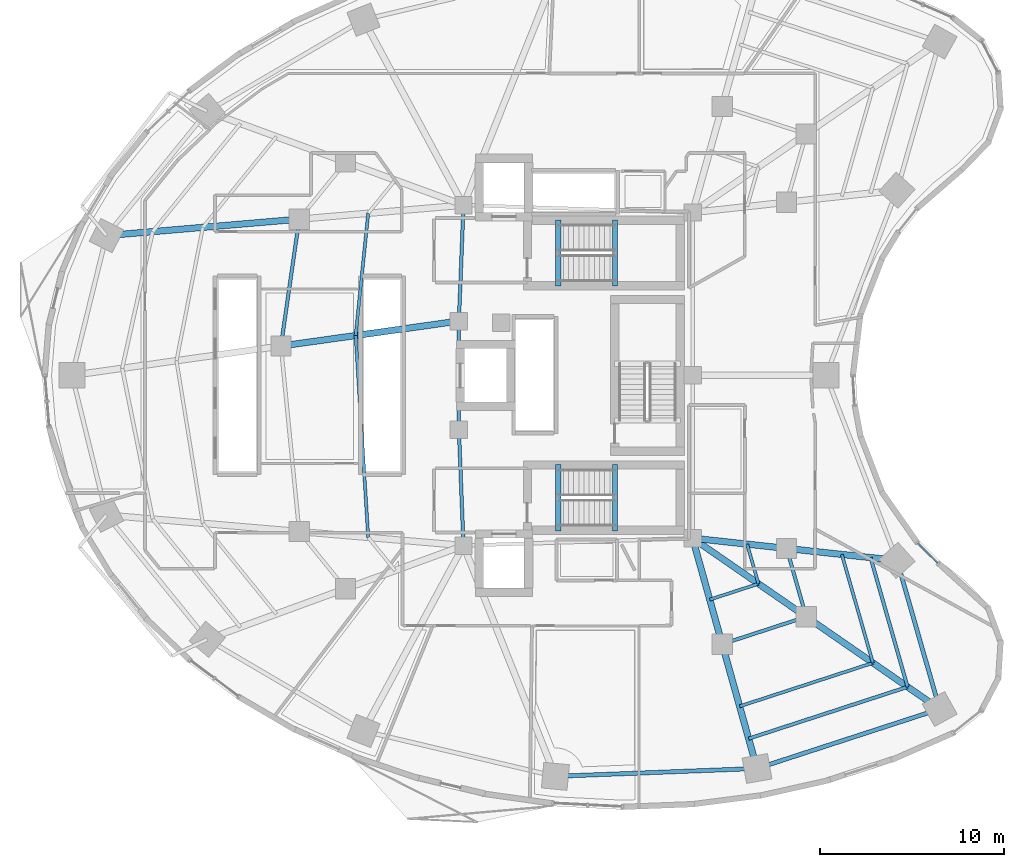
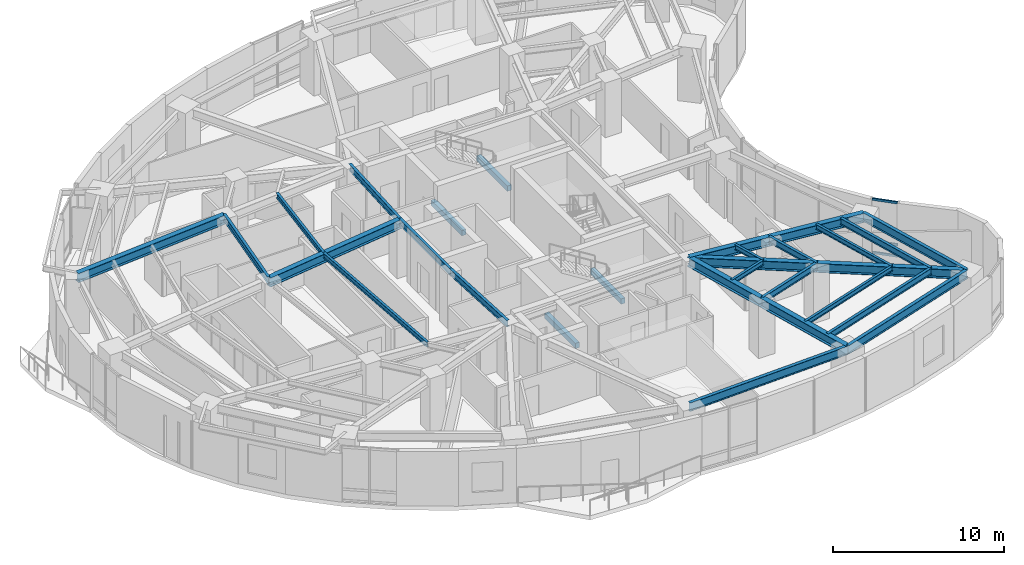
# One storey, part 3 of 15: 29 beams, 3 members, 1 element without a shape of its own.
"""IFC4 building model written with IfcOpenShell, lengths in metres."""

import ifcopenshell
import ifcopenshell.guid

model = None  # the IFC model being written
_history = None  # IfcOwnerHistory: only IFC2X3 demands one
_inside = {}  # id of a spatial element -> (the spatial element, [elements in it])
_under = {}  # id of a project, library or spatial element -> (it, [spatial elements below it])
_declared = {}  # id of a project -> (the project, [libraries it declares])
_typed = {}  # id of a type object -> (the type object, [elements of that type])
_made_of = {}  # id of a material, layer set ... -> (it, [elements and type objects made of it])


def new_model(schema):
    """Start an empty IFC model of exactly this schema.

    Asked for "IFC4X3", IfcOpenShell would pick the latest addendum, in which some entities
    have other attributes; the version numbers below select the first issue.
    IFC2X3 requires an IfcOwnerHistory on every rooted entity: one is made here for all.
    """
    global model, _history
    if schema == "IFC4X3":
        model = ifcopenshell.file(schema_version=(4, 3, 0, 0))
    else:
        model = ifcopenshell.file(schema=schema)
    _inside.clear()
    _under.clear()
    _declared.clear()
    _typed.clear()
    _made_of.clear()
    _history = None
    if model.schema == "IFC2X3":
        org = make("IfcOrganization", Name="unknown")
        user = make(
            "IfcPersonAndOrganization",
            ThePerson=make("IfcPerson", FamilyName="unknown"),
            TheOrganization=org,
        )
        app = make(
            "IfcApplication",
            ApplicationDeveloper=org,
            Version="unknown",
            ApplicationFullName="unknown",
            ApplicationIdentifier="unknown",
        )
        _history = make(
            "IfcOwnerHistory",
            OwningUser=user,
            OwningApplication=app,
            ChangeAction="ADDED",
            CreationDate=0,
        )
    return model


def make(cls, **values):
    """One entity of the class cls with the attributes given. An attribute that is None is left unset."""
    return model.create_entity(
        cls, **{name: value for name, value in values.items() if value is not None}
    )


def rooted(cls, **values):
    """An entity with a GlobalId (a new one), such as an element, a storey or a relation."""
    return make(cls, GlobalId=ifcopenshell.guid.new(), OwnerHistory=_history, **values)


def si_unit(unit_type, name, prefix=None):
    """IfcSIUnit, for example si_unit("LENGTHUNIT", "METRE", prefix="MILLI")."""
    return make("IfcSIUnit", UnitType=unit_type, Prefix=prefix, Name=name)


def assignment(units):
    """IfcUnitAssignment: the units of a project."""
    return None if units is None else make("IfcUnitAssignment", Units=units)


def point(xyz):
    """IfcCartesianPoint."""
    return None if xyz is None else make("IfcCartesianPoint", Coordinates=xyz)


def direction(xyz):
    """IfcDirection."""
    return None if xyz is None else make("IfcDirection", DirectionRatios=xyz)


def frame(location, z_axis=None, x_axis=None):
    """IfcAxis2Placement3D, a coordinate frame: its origin and axes. An axis left out is left unset."""
    return make(
        "IfcAxis2Placement3D",
        Location=point(location),
        Axis=direction(z_axis),
        RefDirection=direction(x_axis),
    )


def frame_2d(location, x_axis=None):
    """IfcAxis2Placement2D, a coordinate frame in the plane: its origin and x axis."""
    return make(
        "IfcAxis2Placement2D", Location=point(location), RefDirection=direction(x_axis)
    )


def origin():
    """The frame at (0, 0, 0) with its axes left unset."""
    return frame((0.0, 0.0, 0.0))


def origin_2d():
    """The frame at (0, 0) in the plane with its x axis left unset."""
    return frame_2d((0.0, 0.0))


def place(relative_to, where):
    """IfcLocalPlacement: puts the frame where relative to a parent placement (None: the world)."""
    return make(
        "IfcLocalPlacement", PlacementRelTo=relative_to, RelativePlacement=where
    )


def context(
    kind, dimensions, precision=None, world=None, true_north=None, identifier=None
):
    """IfcGeometricRepresentationContext, for example the 3D "Model" context."""
    return make(
        "IfcGeometricRepresentationContext",
        ContextIdentifier=identifier,
        ContextType=kind,
        CoordinateSpaceDimension=dimensions,
        Precision=precision,
        WorldCoordinateSystem=world,
        TrueNorth=true_north,
    )


def subcontext(parent, identifier, kind, view, scale=None):
    """IfcGeometricRepresentationSubContext, for example "Body" below "Model"."""
    return make(
        "IfcGeometricRepresentationSubContext",
        ContextIdentifier=identifier,
        ContextType=kind,
        ParentContext=parent,
        TargetScale=scale,
        TargetView=view,
    )


def project(units=None, contexts=None):
    """IfcProject with its units and contexts."""
    return rooted(
        "IfcProject",
        Name="project",
        RepresentationContexts=contexts,
        UnitsInContext=assignment(units),
    )


def spatial(cls, under=None, at=None, **own):
    """A site, building, storey or space (cls), placed at a placement, below another one or the project."""
    s = rooted(cls, ObjectPlacement=at, **own)
    if under is not None:
        _under.setdefault(under.id(), (under, []))[1].append(s)
    return s


def profile(cls, at=None, kind="AREA", **sizes):
    """A parametric profile (cls). Its sizes go by their IFC names, for example OverallWidth=200.0."""
    return make(cls, ProfileType=kind, Position=at, **sizes)


def rectangle(**sizes):
    """IfcRectangleProfileDef."""
    return profile("IfcRectangleProfileDef", **sizes)


def i_section(**sizes):
    """IfcIShapeProfileDef."""
    return profile("IfcIShapeProfileDef", **sizes)


def extrude(swept, where, along, depth):
    """IfcExtrudedAreaSolid: the profile swept, set in the frame where, extruded along a direction by depth."""
    return make(
        "IfcExtrudedAreaSolid",
        SweptArea=swept,
        Position=where,
        ExtrudedDirection=direction(along),
        Depth=depth,
    )


def shape(context_of_items, identifier, shape_type, items):
    """IfcShapeRepresentation: the items that make up one representation, for example the "Body"."""
    return make(
        "IfcShapeRepresentation",
        ContextOfItems=context_of_items,
        RepresentationIdentifier=identifier,
        RepresentationType=shape_type,
        Items=items,
    )


def material(Name=None, Category=None):
    """IfcMaterial."""
    return make("IfcMaterial", Name=Name, Category=Category)


def layer(
    of_material, thickness, ventilated=None, Name=None, Category=None, Priority=None
):
    """IfcMaterialLayer: one layer of a wall or slab, of a material (None: an air gap)."""
    return make(
        "IfcMaterialLayer",
        Material=of_material,
        LayerThickness=thickness,
        IsVentilated=ventilated,
        Name=Name,
        Category=Category,
        Priority=Priority,
    )


def layer_set(layers, Name=None):
    """IfcMaterialLayerSet."""
    return make("IfcMaterialLayerSet", MaterialLayers=layers, LayerSetName=Name)


def material_profile(
    of_material, cross_section, Name=None, Category=None, Priority=None
):
    """IfcMaterialProfile: a cross section and its material."""
    return make(
        "IfcMaterialProfile",
        Name=Name,
        Material=of_material,
        Profile=cross_section,
        Priority=Priority,
        Category=Category,
    )


def profile_set(profiles, Name=None, composite=None):
    """IfcMaterialProfileSet."""
    return make(
        "IfcMaterialProfileSet",
        Name=Name,
        MaterialProfiles=profiles,
        CompositeProfile=composite,
    )


def made_of(thing, what):
    """Note that an element or type object is made of a material, layer set ...; save() writes the relation."""
    if what is not None:
        _made_of.setdefault(what.id(), (what, []))[1].append(thing)
    return thing


def type_object(cls, material=None, **own):
    """A type object (cls), such as IfcWallType, which elements share."""
    return made_of(rooted(cls, **own), material)


def element(
    cls,
    number,
    at=None,
    inside=None,
    cuts=None,
    type_object=None,
    material=None,
    context=None,
    identifier="Body",
    shape_type=None,
    held_by="IfcProductDefinitionShape",
    body=None,
    shapes=None,
    **own,
):
    """One element of the class cls, such as IfcWall. Its Tag is "e" and its number.

    at: its placement. inside: the storey or other place that contains it. cuts: it is an
    opening in that element (IfcRelVoidsElement). A single representation is given by context,
    identifier, shape_type and body (its items); several are given by shapes. held_by: the class
    of the entity that holds the representations. save() writes the other relations.
    """
    e = rooted(cls, Tag="e%d" % number, ObjectPlacement=at, **own)
    if body is not None:
        shapes = [shape(context, identifier, shape_type, body)]
    if shapes is not None:
        e.Representation = make(held_by, Representations=shapes)
    if inside is not None:
        _inside.setdefault(inside.id(), (inside, []))[1].append(e)
    if cuts is not None:
        rooted(
            "IfcRelVoidsElement", RelatingBuildingElement=cuts, RelatedOpeningElement=e
        )
    if type_object is not None:
        _typed.setdefault(type_object.id(), (type_object, []))[1].append(e)
    return made_of(e, material)


def aggregate(whole, parts):
    """IfcRelAggregates: a whole, such as a stair, and the parts it consists of."""
    return rooted("IfcRelAggregates", RelatingObject=whole, RelatedObjects=parts)


def save(model, path):
    """Write the relations noted so far, then the file.

    IfcRelAggregates (storeys below a building ...), IfcRelContainedInSpatialStructure (elements
    in a storey), IfcRelDefinesByType, IfcRelAssociatesMaterial and IfcRelDeclares: one each for
    every whole, place, type object, material and project.
    """
    for whole, parts in _under.values():
        aggregate(whole, parts)
    for where, things in _inside.values():
        rooted(
            "IfcRelContainedInSpatialStructure",
            RelatedElements=things,
            RelatingStructure=where,
        )
    for kind, things in _typed.values():
        rooted("IfcRelDefinesByType", RelatedObjects=things, RelatingType=kind)
    for what, things in _made_of.values():
        rooted("IfcRelAssociatesMaterial", RelatedObjects=things, RelatingMaterial=what)
    for by, libraries in _declared.values():
        rooted("IfcRelDeclares", RelatingContext=by, RelatedDefinitions=libraries)
    model.write(path)


model = new_model("IFC4")

# Units and contexts
model_context = context("Model", 3, precision=1e-05, world=origin(), true_north=direction((0.0, 1.0)))
body_context = subcontext(model_context, "Body", "Model", "MODEL_VIEW")
ifc_project = project(units=[si_unit("LENGTHUNIT", "METRE"), si_unit("AREAUNIT", "SQUARE_METRE"), si_unit("VOLUMEUNIT", "CUBIC_METRE"), si_unit("PLANEANGLEUNIT", "RADIAN"), si_unit("MASSUNIT", "GRAM", prefix="KILO")], contexts=[model_context])

# Site, building, storey
site_placement = place(None, origin())
site = spatial("IfcSite", under=ifc_project, at=site_placement, CompositionType="ELEMENT")
building_placement = place(site_placement, origin())
building = spatial("IfcBuilding", under=site, at=building_placement, Name="Korentha Bioscience Tower", CompositionType="ELEMENT")
storey_placement = place(building_placement, frame((0.0, 0.0, 42.60009765625)))
storey = spatial("IfcBuildingStorey", under=building, at=storey_placement, Name="L09", CompositionType="ELEMENT", Elevation=42.60009765625)

# Beams
ifc_material_1 = material(Name="Concrete C50", Category="concrete")
ifc_material_profile_1 = material_profile(ifc_material_1, rectangle(XDim=0.280029296875, YDim=0.3798828125, at=origin_2d()), Name="Concrete C50")
ifc_profile_set_1 = profile_set([ifc_material_profile_1], Name="Concrete C50 (ST-HB380)")
beam_type_1 = type_object("IfcBeamType", Name="Concrete Stair Header Beam RC 280x380", PredefinedType="BEAM", material=ifc_profile_set_1)
for number, where, z_axis, x_axis, name in (
    (1, (30.25, 31.85009765625, -0.190185546875), (0.0, 1.0, 0.0), (-1.0, 0.0, 0.0), "L09 ST-1 Concrete Stair Header Beam"),
    (2, (33.330078125, 31.85009765625, 1.909912109375), (0.0, 1.0, 0.0), (-1.0, 0.0, 0.0), "L09 ST-1 Half-Landing Header Beam 1"),
    (3, (30.25, 18.550048828125, -0.190185546875), (0.0, 1.0, 0.0), (-1.0, 0.0, 0.0), "L09 ST-2 Concrete Stair Header Beam"),
    (4, (33.330078125, 18.550048828125, 1.909912109375), (0.0, 1.0, 0.0), (-1.0, 0.0, 0.0), "L09 ST-2 Half-Landing Header Beam 1"),
):
    element("IfcBeam", number, at=place(storey_placement, frame(where, z_axis=z_axis, x_axis=x_axis)), inside=storey, type_object=beam_type_1, Name=name, PredefinedType="BEAM", context=body_context, shape_type="SweptSolid", body=[
        extrude(rectangle(XDim=0.280029296875, YDim=0.3798828125, at=origin_2d()), origin(), (0.0, 0.0, 1.0), 3.599853515625),
    ])
ifc_material_2 = material(Name="Steel S355", Category="steel")
ifc_material_profile_2 = material_profile(ifc_material_2, i_section(OverallWidth=0.18994140625, OverallDepth=0.45703125, WebThickness=0.009033203125, FlangeThickness=0.014404296875, at=origin_2d()), Name="Steel S355")
ifc_profile_set_2 = profile_set([ifc_material_profile_2], Name="Steel S355 (MB-460)")
beam_type_2 = type_object("IfcBeamType", Name="Mid-Ring Tie Girder W460x74", PredefinedType="BEAM", material=ifc_profile_set_2)
beam_1_placement = place(storey_placement, frame((16.174072265625, 35.489013671875, 3.67138671875), z_axis=(-0.14286846228, -0.989741684727, 0.0), x_axis=(0.989741684727, -0.14286846228, 0.0)))
element("IfcBeam", 5, at=beam_1_placement, inside=storey, type_object=beam_type_2, Name="L09 Mid-Ring Tie Girder 06", PredefinedType="BEAM", context=body_context, shape_type="SweptSolid", body=[
    extrude(i_section(OverallWidth=0.18994140625, OverallDepth=0.45703125, WebThickness=0.009033203125, FlangeThickness=0.014404296875, at=origin_2d()), origin(), (0.0, 0.0, 1.0), 6.967041015625),
])
beam_2_placement = place(storey_placement, frame((39.1611328125, 12.392333984375, 3.67138671875), z_axis=(0.950877001105, 0.309568940253, 0.0), x_axis=(-0.309568940253, 0.950877001105, 0.0)))
element("IfcBeam", 6, at=beam_2_placement, inside=storey, type_object=beam_type_2, Name="L09 Mid-Ring Tie Girder 12", PredefinedType="BEAM", context=body_context, shape_type="SweptSolid", body=[
    extrude(i_section(OverallWidth=0.18994140625, OverallDepth=0.45703125, WebThickness=0.009033203125, FlangeThickness=0.014404296875, at=origin_2d()), origin(), (0.0, 0.0, 1.0), 4.80126953125),
])
beam_3_placement = place(storey_placement, frame((43.7265625, 13.878662109375, 3.67138671875), z_axis=(-0.27560557792, 0.961270807535, 0.0), x_axis=(-0.961270807535, -0.27560557792, 0.0)))
element("IfcBeam", 7, at=beam_3_placement, inside=storey, type_object=beam_type_2, Name="L09 Mid-Ring Tie Girder 13", PredefinedType="BEAM", context=body_context, shape_type="SweptSolid", body=[
    extrude(i_section(OverallWidth=0.18994140625, OverallDepth=0.45703125, WebThickness=0.009033203125, FlangeThickness=0.014404296875, at=origin_2d()), origin(), (0.0, 0.0, 1.0), 3.864013671875),
])
beam_4_placement = place(storey_placement, frame((25.10009765625, 36.25, 3.67138671875), z_axis=(-0.039651025576, -0.999213588864, 0.0), x_axis=(0.999213588864, -0.039651025576, 0.0)))
element("IfcBeam", 8, at=beam_4_placement, inside=storey, type_object=beam_type_2, Name="L09 Core Ring Tie Girder 02", PredefinedType="BEAM", context=body_context, shape_type="SweptSolid", body=[
    extrude(i_section(OverallWidth=0.18994140625, OverallDepth=0.45703125, WebThickness=0.009033203125, FlangeThickness=0.014404296875, at=origin_2d()), origin(), (0.0, 0.0, 1.0), 6.304931640625),
])
beam_5_placement = place(storey_placement, frame((24.85009765625, 29.949951171875, 3.67138671875), z_axis=(0.0, -1.0, 0.0), x_axis=(1.0, 0.0, 0.0)))
element("IfcBeam", 9, at=beam_5_placement, inside=storey, type_object=beam_type_2, Name="L09 Core Ring Tie Girder 03", PredefinedType="BEAM", context=body_context, shape_type="SweptSolid", body=[
    extrude(i_section(OverallWidth=0.18994140625, OverallDepth=0.45703125, WebThickness=0.009033203125, FlangeThickness=0.014404296875, at=origin_2d()), origin(), (0.0, 0.0, 1.0), 5.89990234375),
])
beam_6_placement = place(storey_placement, frame((24.85009765625, 24.050048828125, 3.67138671875), z_axis=(0.039651025576, -0.999213588864, 0.0), x_axis=(0.999213588864, 0.039651025576, 0.0)))
element("IfcBeam", 10, at=beam_6_placement, inside=storey, type_object=beam_type_2, Name="L09 Core Ring Tie Girder 04", PredefinedType="BEAM", context=body_context, shape_type="SweptSolid", body=[
    extrude(i_section(OverallWidth=0.18994140625, OverallDepth=0.45703125, WebThickness=0.009033203125, FlangeThickness=0.014404296875, at=origin_2d()), origin(), (0.0, 0.0, 1.0), 6.304931640625),
])
ifc_material_profile_3 = material_profile(ifc_material_2, i_section(OverallWidth=0.22802734375, OverallDepth=0.60791015625, WebThickness=0.01123046875, FlangeThickness=0.017333984375, at=origin_2d()), Name="Steel S355")
ifc_profile_set_3 = profile_set([ifc_material_profile_3], Name="Steel S355 (SB-610)")
beam_type_3 = type_object("IfcBeamType", Name="Perimeter Ring Spandrel Girder W610x113", PredefinedType="SPANDREL", material=ifc_profile_set_3)
beam_7_placement = place(storey_placement, frame((30.09423828125, 5.20751953125, 3.595947265625), z_axis=(0.999246003889, 0.03882555488, 0.0), x_axis=(-0.03882555488, 0.999246003889, 0.0)))
element("IfcBeam", 11, at=beam_7_placement, inside=storey, type_object=beam_type_3, Name="L09 Perimeter Spandrel Girder 11", PredefinedType="SPANDREL", context=body_context, shape_type="SweptSolid", body=[
    extrude(i_section(OverallWidth=0.22802734375, OverallDepth=0.60791015625, WebThickness=0.01123046875, FlangeThickness=0.017333984375, at=origin_2d()), origin(), (0.0, 0.0, 1.0), 10.966552734375),
])
beam_8_placement = place(storey_placement, frame((41.052490234375, 5.63330078125, 3.595947265625), z_axis=(0.95087511444, 0.309574735305, 0.0), x_axis=(-0.309574735305, 0.95087511444, 0.0)))
element("IfcBeam", 12, at=beam_8_placement, inside=storey, type_object=beam_type_3, Name="L09 Perimeter Spandrel Girder 12", PredefinedType="SPANDREL", context=body_context, shape_type="SweptSolid", body=[
    extrude(i_section(OverallWidth=0.22802734375, OverallDepth=0.60791015625, WebThickness=0.01123046875, FlangeThickness=0.017333984375, at=origin_2d()), origin(), (0.0, 0.0, 1.0), 10.4375),
])
beam_9_placement = place(storey_placement, frame((50.977294921875, 8.864501953125, 3.595947265625), z_axis=(-0.275642273411, 0.961260285827, 0.0), x_axis=(-0.961260285827, -0.275642273411, 0.0)))
element("IfcBeam", 13, at=beam_9_placement, inside=storey, type_object=beam_type_3, Name="L09 Perimeter Spandrel Girder 13", PredefinedType="SPANDREL", context=body_context, shape_type="SweptSolid", body=[
    extrude(i_section(OverallWidth=0.22802734375, OverallDepth=0.60791015625, WebThickness=0.01123046875, FlangeThickness=0.017333984375, at=origin_2d()), origin(), (0.0, 0.0, 1.0), 8.400146484375),
])
ifc_material_profile_4 = material_profile(ifc_material_2, i_section(OverallWidth=0.18994140625, OverallDepth=0.45703125, WebThickness=0.009033203125, FlangeThickness=0.014404296875, at=origin_2d()), Name="Steel S355")
ifc_profile_set_4 = profile_set([ifc_material_profile_4], Name="Steel S355 (RB-460)")
beam_type_4 = type_object("IfcBeamType", Name="Radial Laboratory Beam W460x74", PredefinedType="BEAM", material=ifc_profile_set_4)
beam_10_placement = place(storey_placement, frame((40.5986328125, 7.255615234375, 3.67138671875), z_axis=(0.95087437499, 0.309577006554, 0.0), x_axis=(-0.309577006554, 0.95087437499, 0.0)))
element("IfcBeam", 14, at=beam_10_placement, inside=storey, type_object=beam_type_4, Name="L09 Secondary Floor Beam JSTO-12", PredefinedType="BEAM", context=body_context, shape_type="SweptSolid", body=[
    extrude(i_section(OverallWidth=0.18994140625, OverallDepth=0.45703125, WebThickness=0.009033203125, FlangeThickness=0.014404296875, at=origin_2d()), origin(), (0.0, 0.0, 1.0), 9.0849609375),
])
beam_11_placement = place(storey_placement, frame((49.2373046875, 10.068115234375, 3.67138671875), z_axis=(-0.275682421415, 0.961248772443, 0.0), x_axis=(-0.961248772443, -0.275682421415, 0.0)))
element("IfcBeam", 15, at=beam_11_placement, inside=storey, type_object=beam_type_4, Name="L09 Secondary Floor Beam JSTO-13", PredefinedType="BEAM", context=body_context, shape_type="SweptSolid", body=[
    extrude(i_section(OverallWidth=0.18994140625, OverallDepth=0.45703125, WebThickness=0.009033203125, FlangeThickness=0.014404296875, at=origin_2d()), origin(), (0.0, 0.0, 1.0), 7.3115234375),
])
ifc_material_profile_5 = material_profile(ifc_material_2, i_section(OverallWidth=0.35009765625, OverallDepth=0.64990234375, WebThickness=0.01611328125, FlangeThickness=0.02490234375, at=origin_2d()), Name="Steel S355")
ifc_profile_set_5 = profile_set([ifc_material_profile_5], Name="Steel S355 (RB-650)")
beam_type_5 = type_object("IfcBeamType", Name="Radial Laboratory Girder CVS 650x208", PredefinedType="BEAM", material=ifc_profile_set_5)
beam_12_placement = place(storey_placement, frame((16.174072265625, 35.489013671875, 3.574951171875), z_axis=(-0.996385601055, -0.084945476695, 0.0), x_axis=(0.084945476695, -0.996385601055, 0.0)))
element("IfcBeam", 16, at=beam_12_placement, inside=storey, type_object=beam_type_5, Name="L09 Outer Radial Girder 06", PredefinedType="BEAM", context=body_context, shape_type="SweptSolid", body=[
    extrude(i_section(OverallWidth=0.35009765625, OverallDepth=0.64990234375, WebThickness=0.01611328125, FlangeThickness=0.02490234375, at=origin_2d()), origin(), (0.0, 0.0, 1.0), 10.516357421875),
])
beam_13_placement = place(storey_placement, frame((24.85009765625, 29.949951171875, 3.574951171875), z_axis=(-0.990307253072, -0.138894004596, 0.0), x_axis=(0.138894004596, -0.990307253072, 0.0)))
element("IfcBeam", 17, at=beam_13_placement, inside=storey, type_object=beam_type_5, Name="L09 Inner Radial Girder 07", PredefinedType="BEAM", context=body_context, shape_type="SweptSolid", body=[
    extrude(i_section(OverallWidth=0.35009765625, OverallDepth=0.64990234375, WebThickness=0.01611328125, FlangeThickness=0.02490234375, at=origin_2d()), origin(), (0.0, 0.0, 1.0), 9.76611328125),
])
beam_14_placement = place(storey_placement, frame((37.550048828125, 18.14990234375, 3.574951171875), z_axis=(0.269469369205, -0.963008961049, 0.0), x_axis=(0.963008961049, 0.269469369205, 0.0)))
element("IfcBeam", 18, at=beam_14_placement, inside=storey, type_object=beam_type_5, Name="L09 Inner Radial Girder 12", PredefinedType="BEAM", context=body_context, shape_type="SweptSolid", body=[
    extrude(i_section(OverallWidth=0.35009765625, OverallDepth=0.64990234375, WebThickness=0.01611328125, FlangeThickness=0.02490234375, at=origin_2d()), origin(), (0.0, 0.0, 1.0), 5.978759765625),
])
beam_15_placement = place(storey_placement, frame((39.1611328125, 12.392333984375, 3.574951171875), z_axis=(0.269475095129, -0.963007358801, 0.0), x_axis=(0.963007358801, 0.269475095129, 0.0)))
element("IfcBeam", 19, at=beam_15_placement, inside=storey, type_object=beam_type_5, Name="L09 Outer Radial Girder 12", PredefinedType="BEAM", context=body_context, shape_type="SweptSolid", body=[
    extrude(i_section(OverallWidth=0.35009765625, OverallDepth=0.64990234375, WebThickness=0.01611328125, FlangeThickness=0.02490234375, at=origin_2d()), origin(), (0.0, 0.0, 1.0), 7.0185546875),
])
beam_16_placement = place(storey_placement, frame((37.550048828125, 18.14990234375, 3.574951171875), z_axis=(0.822491697625, -0.568777115694, 0.0), x_axis=(0.568777115694, 0.822491697625, 0.0)))
element("IfcBeam", 20, at=beam_16_placement, inside=storey, type_object=beam_type_5, Name="L09 Inner Radial Girder 13", PredefinedType="BEAM", context=body_context, shape_type="SweptSolid", body=[
    extrude(i_section(OverallWidth=0.35009765625, OverallDepth=0.64990234375, WebThickness=0.01611328125, FlangeThickness=0.02490234375, at=origin_2d()), origin(), (0.0, 0.0, 1.0), 7.509521484375),
])
beam_17_placement = place(storey_placement, frame((43.7265625, 13.878662109375, 3.574951171875), z_axis=(0.822488186113, -0.568782193555, 0.0), x_axis=(0.568782193555, 0.822488186113, 0.0)))
element("IfcBeam", 21, at=beam_17_placement, inside=storey, type_object=beam_type_5, Name="L09 Outer Radial Girder 13", PredefinedType="BEAM", context=body_context, shape_type="SweptSolid", body=[
    extrude(i_section(OverallWidth=0.35009765625, OverallDepth=0.64990234375, WebThickness=0.01611328125, FlangeThickness=0.02490234375, at=origin_2d()), origin(), (0.0, 0.0, 1.0), 8.815673828125),
])
beam_18_placement = place(storey_placement, frame((37.550048828125, 18.14990234375, 3.574951171875), z_axis=(0.994117709144, -0.10830503389, 0.0), x_axis=(0.10830503389, 0.994117709144, 0.0)))
element("IfcBeam", 22, at=beam_18_placement, inside=storey, type_object=beam_type_5, Name="L09 Inner Radial Girder 14", PredefinedType="BEAM", context=body_context, shape_type="SweptSolid", body=[
    extrude(i_section(OverallWidth=0.35009765625, OverallDepth=0.64990234375, WebThickness=0.01611328125, FlangeThickness=0.02490234375, at=origin_2d()), origin(), (0.0, 0.0, 1.0), 5.141845703125),
])
beam_19_placement = place(storey_placement, frame((42.66162109375, 17.593017578125, 3.574951171875), z_axis=(0.994115805925, -0.108322501862, 0.0), x_axis=(0.108322501862, 0.994115805925, 0.0)))
element("IfcBeam", 23, at=beam_19_placement, inside=storey, type_object=beam_type_5, Name="L09 Outer Radial Girder 14", PredefinedType="BEAM", context=body_context, shape_type="SweptSolid", body=[
    extrude(i_section(OverallWidth=0.35009765625, OverallDepth=0.64990234375, WebThickness=0.01611328125, FlangeThickness=0.02490234375, at=origin_2d()), origin(), (0.0, 0.0, 1.0), 6.03564453125),
])
ifc_material_profile_6 = material_profile(ifc_material_2, i_section(OverallWidth=0.1708984375, OverallDepth=0.35498046875, WebThickness=0.007080078125, FlangeThickness=0.01171875, at=origin_2d()), Name="Steel S355")
ifc_profile_set_6 = profile_set([ifc_material_profile_6], Name="Steel S355 (JB-360)")
beam_type_6 = type_object("IfcBeamType", Name="Secondary Laboratory Joist W360x51", PredefinedType="JOIST", material=ifc_profile_set_6)
beam_20_placement = place(storey_placement, frame((19.9228515625, 35.80859375, 3.722412109375), z_axis=(-0.102144778597, -0.994769543264, 0.0), x_axis=(0.994769543264, -0.102144778597, 0.0)))
element("IfcBeam", 24, at=beam_20_placement, inside=storey, type_object=beam_type_6, Name="L09 Inner Bay Joist 06", PredefinedType="JOIST", context=body_context, shape_type="SweptSolid", body=[
    extrude(i_section(OverallWidth=0.1708984375, OverallDepth=0.35498046875, WebThickness=0.007080078125, FlangeThickness=0.01171875, at=origin_2d()), origin(), (0.0, 0.0, 1.0), 6.680419921875),
])
beam_21_placement = place(storey_placement, frame((19.240478515625, 29.1630859375, 3.722412109375), z_axis=(0.062074098012, -0.998071543706, 0.0), x_axis=(0.998071543706, 0.062074098012, 0.0)))
element("IfcBeam", 25, at=beam_21_placement, inside=storey, type_object=beam_type_6, Name="L09 Inner Bay Joist 07", PredefinedType="JOIST", context=body_context, shape_type="SweptSolid", body=[
    extrude(i_section(OverallWidth=0.1708984375, OverallDepth=0.35498046875, WebThickness=0.007080078125, FlangeThickness=0.01171875, at=origin_2d()), origin(), (0.0, 0.0, 1.0), 10.992919921875),
])
beam_22_placement = place(storey_placement, frame((40.10693359375, 9.0126953125, 3.722412109375), z_axis=(0.950870992772, 0.309587394938, 0.0), x_axis=(-0.309587394938, 0.950870992772, 0.0)))
element("IfcBeam", 26, at=beam_22_placement, inside=storey, type_object=beam_type_6, Name="L09 Secondary Floor Beam JST-12", PredefinedType="JOIST", context=body_context, shape_type="SweptSolid", body=[
    extrude(i_section(OverallWidth=0.1708984375, OverallDepth=0.35498046875, WebThickness=0.007080078125, FlangeThickness=0.01171875, at=origin_2d()), origin(), (0.0, 0.0, 1.0), 7.619384765625),
])
beam_23_placement = place(storey_placement, frame((38.484619140625, 14.810546875, 3.722412109375), z_axis=(0.950869630746, 0.309591578254, 0.0), x_axis=(-0.309591578254, 0.950869630746, 0.0)))
element("IfcBeam", 27, at=beam_23_placement, inside=storey, type_object=beam_type_6, Name="L09 Inner Bay Joist 12", PredefinedType="JOIST", context=body_context, shape_type="SweptSolid", body=[
    extrude(i_section(OverallWidth=0.1708984375, OverallDepth=0.35498046875, WebThickness=0.007080078125, FlangeThickness=0.01171875, at=origin_2d()), origin(), (0.0, 0.0, 1.0), 2.784423828125),
])
beam_24_placement = place(storey_placement, frame((47.35205078125, 11.37158203125, 3.722412109375), z_axis=(-0.275667500387, 0.96125305161, 0.0), x_axis=(-0.96125305161, -0.275667500387, 0.0)))
element("IfcBeam", 28, at=beam_24_placement, inside=storey, type_object=beam_type_6, Name="L09 Secondary Floor Beam JST-13", PredefinedType="JOIST", context=body_context, shape_type="SweptSolid", body=[
    extrude(i_section(OverallWidth=0.1708984375, OverallDepth=0.35498046875, WebThickness=0.007080078125, FlangeThickness=0.01171875, at=origin_2d()), origin(), (0.0, 0.0, 1.0), 6.132080078125),
])
beam_25_placement = place(storey_placement, frame((41.13232421875, 15.672607421875, 3.722412109375), z_axis=(-0.275613067773, 0.961268660091, 0.0), x_axis=(-0.961268660091, -0.275613067773, 0.0)))
element("IfcBeam", 29, at=beam_25_placement, inside=storey, type_object=beam_type_6, Name="L09 Inner Bay Joist 13", PredefinedType="JOIST", context=body_context, shape_type="SweptSolid", body=[
    extrude(i_section(OverallWidth=0.1708984375, OverallDepth=0.35498046875, WebThickness=0.007080078125, FlangeThickness=0.01171875, at=origin_2d()), origin(), (0.0, 0.0, 1.0), 2.2412109375),
])

# Curtain wall, members
ifc_material_3 = material(Name="Thermally Broken Aluminium Frame", Category="aluminium")
ifc_layer = layer(ifc_material_3, 0.219970703125, Name="Thermally Broken Aluminium Frame")
ifc_layer_set = layer_set([ifc_layer], Name="Thermally Broken Aluminium Frame (CW-T1)")
curtain_wall_type = type_object("IfcCurtainWallType", Name="Standard Bioscience Lab Unitised Curtain Wall CW-T1", PredefinedType="USERDEFINED", material=ifc_layer_set)
curtain_wall_placement = place(storey_placement, origin())
curtain_wall = element("IfcCurtainWall", 30, at=curtain_wall_placement, inside=storey, type_object=curtain_wall_type, Name="L09 Curtain Wall 43", ObjectType="UNITISED", PredefinedType="USERDEFINED")
ifc_material_4 = material(Name="Anodised Aluminium 6063-T6", Category="aluminium")
ifc_material_profile_7 = material_profile(ifc_material_4, rectangle(XDim=0.090087890625, YDim=0.159912109375, at=origin_2d()), Name="Anodised Aluminium 6063-T6")
ifc_profile_set_7 = profile_set([ifc_material_profile_7], Name="Anodised Aluminium 6063-T6 (CW-TRN)")
member_type = type_object("IfcMemberType", Name="Transom RECT 90x160", PredefinedType="USERDEFINED", material=ifc_profile_set_7)
member_1_placement = place(storey_placement, frame((50.8818359375, 16.796875, 0.044921875), z_axis=(-0.713350356322, 0.700807583531, 0.0), x_axis=(-0.700807583531, -0.713350356322, 0.0)))
member_1 = element("IfcMember", 31, at=member_1_placement, type_object=member_type, Name="CW-L09-43 Bay 1 Transom 1", ObjectType="TRANSOM", PredefinedType="USERDEFINED", context=body_context, shape_type="SweptSolid", body=[
    extrude(rectangle(XDim=0.090087890625, YDim=0.159912109375, at=origin_2d()), origin(), (0.0, 0.0, 1.0), 1.53759765625),
])
member_2_placement = place(storey_placement, frame((50.8818359375, 16.796875, 0.849853515625), z_axis=(-0.713350356322, 0.700807583531, 0.0), x_axis=(-0.700807583531, -0.713350356322, 0.0)))
member_2 = element("IfcMember", 32, at=member_2_placement, type_object=member_type, Name="CW-L09-43 Bay 1 Transom 2", ObjectType="TRANSOM", PredefinedType="USERDEFINED", context=body_context, shape_type="SweptSolid", body=[
    extrude(rectangle(XDim=0.090087890625, YDim=0.159912109375, at=origin_2d()), origin(), (0.0, 0.0, 1.0), 1.53759765625),
])
member_3_placement = place(storey_placement, frame((50.8818359375, 16.796875, 3.85498046875), z_axis=(-0.713350356322, 0.700807583531, 0.0), x_axis=(-0.700807583531, -0.713350356322, 0.0)))
member_3 = element("IfcMember", 33, at=member_3_placement, type_object=member_type, Name="CW-L09-43 Bay 1 Transom 3", ObjectType="TRANSOM", PredefinedType="USERDEFINED", context=body_context, shape_type="SweptSolid", body=[
    extrude(rectangle(XDim=0.090087890625, YDim=0.159912109375, at=origin_2d()), origin(), (0.0, 0.0, 1.0), 1.53759765625),
])
aggregate(curtain_wall, [member_1, member_2, member_3])

save(model, "model.ifc")
